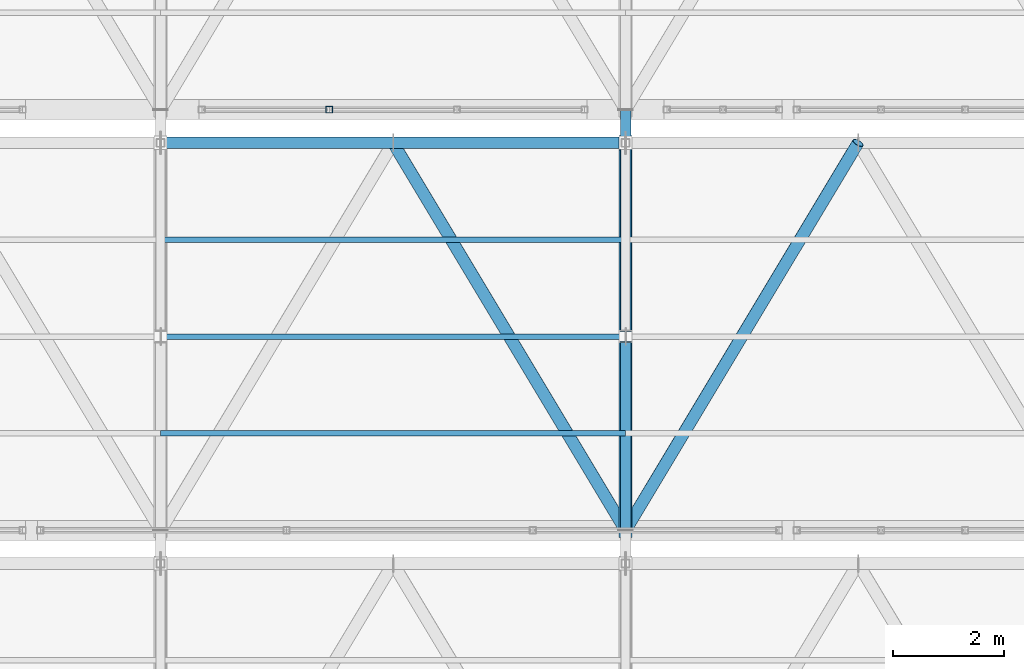
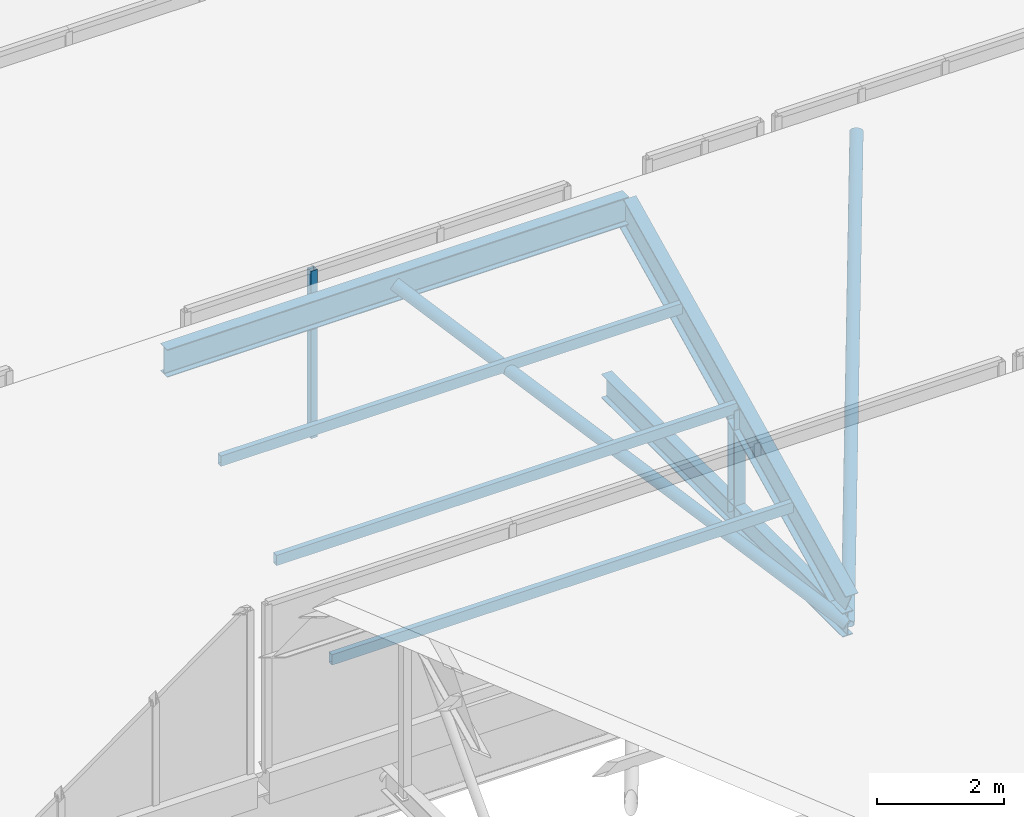
# One storey, part 30 of 57: 10 members, 1 element without a shape of its own.
"""IFC4 building model written with IfcOpenShell, lengths in metres."""

import ifcopenshell
import ifcopenshell.guid

model = None  # the IFC model being written
_history = None  # IfcOwnerHistory: only IFC2X3 demands one
_inside = {}  # id of a spatial element -> (the spatial element, [elements in it])
_under = {}  # id of a project, library or spatial element -> (it, [spatial elements below it])
_declared = {}  # id of a project -> (the project, [libraries it declares])
_typed = {}  # id of a type object -> (the type object, [elements of that type])
_made_of = {}  # id of a material, layer set ... -> (it, [elements and type objects made of it])


def new_model(schema):
    """Start an empty IFC model of exactly this schema.

    Asked for "IFC4X3", IfcOpenShell would pick the latest addendum, in which some entities
    have other attributes; the version numbers below select the first issue.
    IFC2X3 requires an IfcOwnerHistory on every rooted entity: one is made here for all.
    """
    global model, _history
    if schema == "IFC4X3":
        model = ifcopenshell.file(schema_version=(4, 3, 0, 0))
    else:
        model = ifcopenshell.file(schema=schema)
    _inside.clear()
    _under.clear()
    _declared.clear()
    _typed.clear()
    _made_of.clear()
    _history = None
    if model.schema == "IFC2X3":
        org = make("IfcOrganization", Name="unknown")
        user = make(
            "IfcPersonAndOrganization",
            ThePerson=make("IfcPerson", FamilyName="unknown"),
            TheOrganization=org,
        )
        app = make(
            "IfcApplication",
            ApplicationDeveloper=org,
            Version="unknown",
            ApplicationFullName="unknown",
            ApplicationIdentifier="unknown",
        )
        _history = make(
            "IfcOwnerHistory",
            OwningUser=user,
            OwningApplication=app,
            ChangeAction="ADDED",
            CreationDate=0,
        )
    return model


def make(cls, **values):
    """One entity of the class cls with the attributes given. An attribute that is None is left unset."""
    return model.create_entity(
        cls, **{name: value for name, value in values.items() if value is not None}
    )


def rooted(cls, **values):
    """An entity with a GlobalId (a new one), such as an element, a storey or a relation."""
    return make(cls, GlobalId=ifcopenshell.guid.new(), OwnerHistory=_history, **values)


def si_unit(unit_type, name, prefix=None):
    """IfcSIUnit, for example si_unit("LENGTHUNIT", "METRE", prefix="MILLI")."""
    return make("IfcSIUnit", UnitType=unit_type, Prefix=prefix, Name=name)


def assignment(units):
    """IfcUnitAssignment: the units of a project."""
    return None if units is None else make("IfcUnitAssignment", Units=units)


def point(xyz):
    """IfcCartesianPoint."""
    return None if xyz is None else make("IfcCartesianPoint", Coordinates=xyz)


def direction(xyz):
    """IfcDirection."""
    return None if xyz is None else make("IfcDirection", DirectionRatios=xyz)


def frame(location, z_axis=None, x_axis=None):
    """IfcAxis2Placement3D, a coordinate frame: its origin and axes. An axis left out is left unset."""
    return make(
        "IfcAxis2Placement3D",
        Location=point(location),
        Axis=direction(z_axis),
        RefDirection=direction(x_axis),
    )


def frame_2d(location, x_axis=None):
    """IfcAxis2Placement2D, a coordinate frame in the plane: its origin and x axis."""
    return make(
        "IfcAxis2Placement2D", Location=point(location), RefDirection=direction(x_axis)
    )


def origin():
    """The frame at (0, 0, 0) with its axes left unset."""
    return frame((0.0, 0.0, 0.0))


def origin_2d():
    """The frame at (0, 0) in the plane with its x axis left unset."""
    return frame_2d((0.0, 0.0))


def place(relative_to, where):
    """IfcLocalPlacement: puts the frame where relative to a parent placement (None: the world)."""
    return make(
        "IfcLocalPlacement", PlacementRelTo=relative_to, RelativePlacement=where
    )


def context(
    kind, dimensions, precision=None, world=None, true_north=None, identifier=None
):
    """IfcGeometricRepresentationContext, for example the 3D "Model" context."""
    return make(
        "IfcGeometricRepresentationContext",
        ContextIdentifier=identifier,
        ContextType=kind,
        CoordinateSpaceDimension=dimensions,
        Precision=precision,
        WorldCoordinateSystem=world,
        TrueNorth=true_north,
    )


def subcontext(parent, identifier, kind, view, scale=None):
    """IfcGeometricRepresentationSubContext, for example "Body" below "Model"."""
    return make(
        "IfcGeometricRepresentationSubContext",
        ContextIdentifier=identifier,
        ContextType=kind,
        ParentContext=parent,
        TargetScale=scale,
        TargetView=view,
    )


def project(units=None, contexts=None):
    """IfcProject with its units and contexts."""
    return rooted(
        "IfcProject",
        Name="project",
        RepresentationContexts=contexts,
        UnitsInContext=assignment(units),
    )


def spatial(cls, under=None, at=None, **own):
    """A site, building, storey or space (cls), placed at a placement, below another one or the project."""
    s = rooted(cls, ObjectPlacement=at, **own)
    if under is not None:
        _under.setdefault(under.id(), (under, []))[1].append(s)
    return s


def profile(cls, at=None, kind="AREA", **sizes):
    """A parametric profile (cls). Its sizes go by their IFC names, for example OverallWidth=200.0."""
    return make(cls, ProfileType=kind, Position=at, **sizes)


def hollow_rectangle(**sizes):
    """IfcRectangleHollowProfileDef."""
    return profile("IfcRectangleHollowProfileDef", **sizes)


def hollow_circle(**sizes):
    """IfcCircleHollowProfileDef."""
    return profile("IfcCircleHollowProfileDef", **sizes)


def i_section(**sizes):
    """IfcIShapeProfileDef."""
    return profile("IfcIShapeProfileDef", **sizes)


def extrude(swept, where, along, depth):
    """IfcExtrudedAreaSolid: the profile swept, set in the frame where, extruded along a direction by depth."""
    return make(
        "IfcExtrudedAreaSolid",
        SweptArea=swept,
        Position=where,
        ExtrudedDirection=direction(along),
        Depth=depth,
    )


def shape(context_of_items, identifier, shape_type, items):
    """IfcShapeRepresentation: the items that make up one representation, for example the "Body"."""
    return make(
        "IfcShapeRepresentation",
        ContextOfItems=context_of_items,
        RepresentationIdentifier=identifier,
        RepresentationType=shape_type,
        Items=items,
    )


def material(Name=None, Category=None):
    """IfcMaterial."""
    return make("IfcMaterial", Name=Name, Category=Category)


def material_profile(
    of_material, cross_section, Name=None, Category=None, Priority=None
):
    """IfcMaterialProfile: a cross section and its material."""
    return make(
        "IfcMaterialProfile",
        Name=Name,
        Material=of_material,
        Profile=cross_section,
        Priority=Priority,
        Category=Category,
    )


def profile_set(profiles, Name=None, composite=None):
    """IfcMaterialProfileSet."""
    return make(
        "IfcMaterialProfileSet",
        Name=Name,
        MaterialProfiles=profiles,
        CompositeProfile=composite,
    )


def made_of(thing, what):
    """Note that an element or type object is made of a material, layer set ...; save() writes the relation."""
    if what is not None:
        _made_of.setdefault(what.id(), (what, []))[1].append(thing)
    return thing


def type_object(cls, material=None, **own):
    """A type object (cls), such as IfcWallType, which elements share."""
    return made_of(rooted(cls, **own), material)


def element(
    cls,
    number,
    at=None,
    inside=None,
    cuts=None,
    type_object=None,
    material=None,
    context=None,
    identifier="Body",
    shape_type=None,
    held_by="IfcProductDefinitionShape",
    body=None,
    shapes=None,
    **own,
):
    """One element of the class cls, such as IfcWall. Its Tag is "e" and its number.

    at: its placement. inside: the storey or other place that contains it. cuts: it is an
    opening in that element (IfcRelVoidsElement). A single representation is given by context,
    identifier, shape_type and body (its items); several are given by shapes. held_by: the class
    of the entity that holds the representations. save() writes the other relations.
    """
    e = rooted(cls, Tag="e%d" % number, ObjectPlacement=at, **own)
    if body is not None:
        shapes = [shape(context, identifier, shape_type, body)]
    if shapes is not None:
        e.Representation = make(held_by, Representations=shapes)
    if inside is not None:
        _inside.setdefault(inside.id(), (inside, []))[1].append(e)
    if cuts is not None:
        rooted(
            "IfcRelVoidsElement", RelatingBuildingElement=cuts, RelatedOpeningElement=e
        )
    if type_object is not None:
        _typed.setdefault(type_object.id(), (type_object, []))[1].append(e)
    return made_of(e, material)


def aggregate(whole, parts):
    """IfcRelAggregates: a whole, such as a stair, and the parts it consists of."""
    return rooted("IfcRelAggregates", RelatingObject=whole, RelatedObjects=parts)


def save(model, path):
    """Write the relations noted so far, then the file.

    IfcRelAggregates (storeys below a building ...), IfcRelContainedInSpatialStructure (elements
    in a storey), IfcRelDefinesByType, IfcRelAssociatesMaterial and IfcRelDeclares: one each for
    every whole, place, type object, material and project.
    """
    for whole, parts in _under.values():
        aggregate(whole, parts)
    for where, things in _inside.values():
        rooted(
            "IfcRelContainedInSpatialStructure",
            RelatedElements=things,
            RelatingStructure=where,
        )
    for kind, things in _typed.values():
        rooted("IfcRelDefinesByType", RelatedObjects=things, RelatingType=kind)
    for what, things in _made_of.values():
        rooted("IfcRelAssociatesMaterial", RelatedObjects=things, RelatingMaterial=what)
    for by, libraries in _declared.values():
        rooted("IfcRelDeclares", RelatingContext=by, RelatedDefinitions=libraries)
    model.write(path)


model = new_model("IFC4")

# Units and contexts
model_context = context("Model", 3, precision=1e-05, world=origin(), true_north=direction((0.0, 1.0)))
body_context = subcontext(model_context, "Body", "Model", "MODEL_VIEW")
ifc_project = project(units=[si_unit("LENGTHUNIT", "METRE"), si_unit("AREAUNIT", "SQUARE_METRE"), si_unit("VOLUMEUNIT", "CUBIC_METRE"), si_unit("PLANEANGLEUNIT", "RADIAN"), si_unit("MASSUNIT", "GRAM", prefix="KILO")], contexts=[model_context])

# Site, building, storey
site_placement = place(None, origin())
site = spatial("IfcSite", under=ifc_project, at=site_placement, CompositionType="ELEMENT")
building_placement = place(site_placement, origin())
building = spatial("IfcBuilding", under=site, at=building_placement, Name="Zuvorla Pavilion Media Centre", CompositionType="ELEMENT")
storey_placement = place(building_placement, frame((0.0, 0.0, 18.0)))
storey = spatial("IfcBuildingStorey", under=building, at=storey_placement, Name="L04", CompositionType="ELEMENT", Elevation=18.0)

# Curtain wall, member
ifc_material_1 = material(Name="Unitised anodised aluminium and solar glass curtain wall", Category="aluminium")
curtain_wall_type = type_object("IfcCurtainWallType", Name="CW-SYS-92", PredefinedType="USERDEFINED", material=ifc_material_1)
curtain_wall_placement = place(storey_placement, origin())
curtain_wall = element("IfcCurtainWall", 1, at=curtain_wall_placement, inside=storey, type_object=curtain_wall_type, Name="L04 curtain wall CW92 242", ObjectType="CURTAIN WALL", PredefinedType="USERDEFINED")
ifc_material_2 = material(Name="Anodised aluminium 6063-T6", Category="aluminium")
ifc_material_profile_1 = material_profile(ifc_material_2, hollow_rectangle(XDim=0.1201171875, YDim=0.1201171875, WallThickness=0.0048828125, at=origin_2d()), Name="ALU MULL 120x120")
ifc_profile_set_1 = profile_set([ifc_material_profile_1], Name="Anodised aluminium 6063-T6")
member_type_1 = type_object("IfcMemberType", Name="CW-MULL-120", PredefinedType="MULLION", material=ifc_profile_set_1)
member_1_placement = place(storey_placement, frame((137.048095703125, 36.39990234375, 0.0), z_axis=(0.0, 0.0, 1.0), x_axis=(1.0, 0.0, 0.0)))
member_1 = element("IfcMember", 2, at=member_1_placement, type_object=member_type_1, Name="CW92 mullion 2", PredefinedType="MULLION", context=body_context, shape_type="SweptSolid", body=[
    extrude(hollow_rectangle(XDim=0.1201171875, YDim=0.1201171875, WallThickness=0.0048828125, at=origin_2d()), origin(), (0.0, 0.0, 1.0), 3.219970703125),
])
aggregate(curtain_wall, [member_1])

# Members
ifc_material_3 = material(Name="Steel S355", Category="steel")
ifc_material_profile_2 = material_profile(ifc_material_3, hollow_circle(Radius=0.109619140625, WallThickness=0.010009765625, at=origin_2d()), Name="CHS 219.1x10")
ifc_profile_set_2 = profile_set([ifc_material_profile_2], Name="Steel S355")
member_type_2 = type_object("IfcMemberType", Name="MEM-BRC-CHS219", PredefinedType="BRACE", material=ifc_profile_set_2)
for number, where, z_axis, x_axis, name in (
    (3, (138.199951171875, 35.800048828125, 2.882080078125), (0.46726169892, -0.778778552081, -0.418533716135), (0.857495564561, 0.514491357322, 0.0), "L04 diagonal brace TB02 722"),
    (4, (142.39990234375, 28.800048828125, -0.8798828125), (0.467282929861, 0.77876866804, 0.418528404221), (-0.857482370257, 0.514513347444, 0.0), "L04 diagonal brace TB02 727"),
):
    element("IfcMember", number, at=place(storey_placement, frame(where, z_axis=z_axis, x_axis=x_axis)), inside=storey, type_object=member_type_2, Name=name, PredefinedType="BRACE", context=body_context, shape_type="SweptSolid", body=[
        extrude(hollow_circle(Radius=0.109619140625, WallThickness=0.010009765625, at=origin_2d()), origin(), (0.0, 0.0, 1.0), 8.988525390625),
    ])
ifc_material_profile_3 = material_profile(ifc_material_3, i_section(OverallWidth=0.19140625, OverallDepth=0.4599609375, WebThickness=0.010009765625, FlangeThickness=0.01611328125, FilletRadius=0.01025390625, at=origin_2d()), Name="UB 457x191x82")
ifc_profile_set_3 = profile_set([ifc_material_profile_3], Name="Steel S355")
member_type_3 = type_object("IfcMemberType", Name="MEM-CHD-UB457", PredefinedType="CHORD", material=ifc_profile_set_3)
member_2_placement = place(storey_placement, frame((142.39990234375, 28.800048828125, -0.8798828125), z_axis=(0.0, 1.0, 0.0), x_axis=(-1.0, 0.0, 0.0)))
element("IfcMember", 5, at=member_2_placement, inside=storey, type_object=member_type_3, Name="L04 chord TC03 693", PredefinedType="CHORD", context=body_context, shape_type="SweptSolid", body=[
    extrude(i_section(OverallWidth=0.19140625, OverallDepth=0.4599609375, WebThickness=0.010009765625, FlangeThickness=0.01611328125, FilletRadius=0.01025390625, at=origin_2d()), origin(), (0.0, 0.0, 1.0), 7.599853515625),
])
ifc_material_profile_4 = material_profile(ifc_material_3, i_section(OverallWidth=0.2099609375, OverallDepth=0.53662109375, WebThickness=0.0107421875, FlangeThickness=0.017333984375, FilletRadius=0.0126953125, at=origin_2d()), Name="UB 533x210x101")
ifc_profile_set_4 = profile_set([ifc_material_profile_4], Name="Steel S355")
member_type_4 = type_object("IfcMemberType", Name="MEM-CHD-UB533", PredefinedType="CHORD", material=ifc_profile_set_4)
member_3_placement = place(storey_placement, frame((134.0, 35.800048828125, 2.882080078125), z_axis=(1.0, 0.0, 0.0), x_axis=(0.0, 1.0, 0.0)))
element("IfcMember", 6, at=member_3_placement, inside=storey, type_object=member_type_4, Name="L04 chord TC02 720", PredefinedType="CHORD", context=body_context, shape_type="SweptSolid", body=[
    extrude(i_section(OverallWidth=0.2099609375, OverallDepth=0.53662109375, WebThickness=0.0107421875, FlangeThickness=0.017333984375, FilletRadius=0.0126953125, at=origin_2d()), origin(), (0.0, 0.0, 1.0), 8.39990234375),
])
ifc_material_profile_5 = material_profile(ifc_material_3, i_section(OverallWidth=0.22900390625, OverallDepth=0.6123046875, WebThickness=0.011962890625, FlangeThickness=0.01953125, FilletRadius=0.0126953125, at=origin_2d()), Name="UB 610x229x125")
ifc_profile_set_5 = profile_set([ifc_material_profile_5], Name="Steel S355")
member_type_5 = type_object("IfcMemberType", Name="MEM-CHD-UB610", PredefinedType="CHORD", material=ifc_profile_set_5)
member_4_placement = place(storey_placement, frame((142.39990234375, 28.800048828125, -0.517822265625), z_axis=(0.0, 0.899513090263, 0.436893809117), x_axis=(-1.0, 0.0, 0.0)))
element("IfcMember", 7, at=member_4_placement, inside=storey, type_object=member_type_5, Name="L04 chord TC01 694", PredefinedType="CHORD", context=body_context, shape_type="SweptSolid", body=[
    extrude(i_section(OverallWidth=0.22900390625, OverallDepth=0.6123046875, WebThickness=0.011962890625, FlangeThickness=0.01953125, FilletRadius=0.0126953125, at=origin_2d()), origin(), (0.0, 0.0, 1.0), 7.781982421875),
])
ifc_material_profile_6 = material_profile(ifc_material_3, hollow_rectangle(XDim=0.10009765625, YDim=0.199951171875, WallThickness=0.008056640625, at=origin_2d()), Name="RHS 200x100x8")
ifc_profile_set_6 = profile_set([ifc_material_profile_6], Name="Steel S355")
member_type_6 = type_object("IfcMemberType", Name="MEM-PUR-RHS200", PredefinedType="PURLIN", material=ifc_profile_set_6)
for number, where, z_axis, x_axis, name in (
    (8, (134.0, 30.550048828125, 0.33203125), (1.0, 0.0, 0.0), (0.0, 1.0, 0.0), "L04 purlin PR01 723"),
    (9, (134.0, 32.300048828125, 1.18212890625), (1.0, 0.0, 0.0), (0.0, 1.0, 0.0), "L04 purlin PR01 724"),
    (10, (134.0, 34.050048828125, 2.031982421875), (1.0, 0.0, 0.0), (0.0, 1.0, 0.0), "L04 purlin PR01 725"),
):
    element("IfcMember", number, at=place(storey_placement, frame(where, z_axis=z_axis, x_axis=x_axis)), inside=storey, type_object=member_type_6, Name=name, PredefinedType="PURLIN", context=body_context, shape_type="SweptSolid", body=[
        extrude(hollow_rectangle(XDim=0.10009765625, YDim=0.199951171875, WallThickness=0.008056640625, at=origin_2d()), origin(), (0.0, 0.0, 1.0), 8.39990234375),
    ])
ifc_material_profile_7 = material_profile(ifc_material_3, i_section(OverallWidth=0.205810546875, OverallDepth=0.209716796875, WebThickness=0.009521484375, FlangeThickness=0.01416015625, FilletRadius=0.01025390625, at=origin_2d()), Name="UC 203x203x60")
ifc_profile_set_7 = profile_set([ifc_material_profile_7], Name="Steel S355")
member_type_7 = type_object("IfcMemberType", Name="MEM-STR-UC203", PredefinedType="STRUT", material=ifc_profile_set_7)
member_5_placement = place(storey_placement, frame((142.39990234375, 32.300048828125, -0.8798828125), z_axis=(0.0, 0.0, 1.0), x_axis=(1.0, 0.0, 0.0)))
element("IfcMember", 11, at=member_5_placement, inside=storey, type_object=member_type_7, Name="L04 vertical strut TS02 697", PredefinedType="STRUT", context=body_context, shape_type="SweptSolid", body=[
    extrude(i_section(OverallWidth=0.205810546875, OverallDepth=0.209716796875, WebThickness=0.009521484375, FlangeThickness=0.01416015625, FilletRadius=0.01025390625, at=origin_2d()), origin(), (0.0, 0.0, 1.0), 2.06201171875),
])

save(model, "model.ifc")
